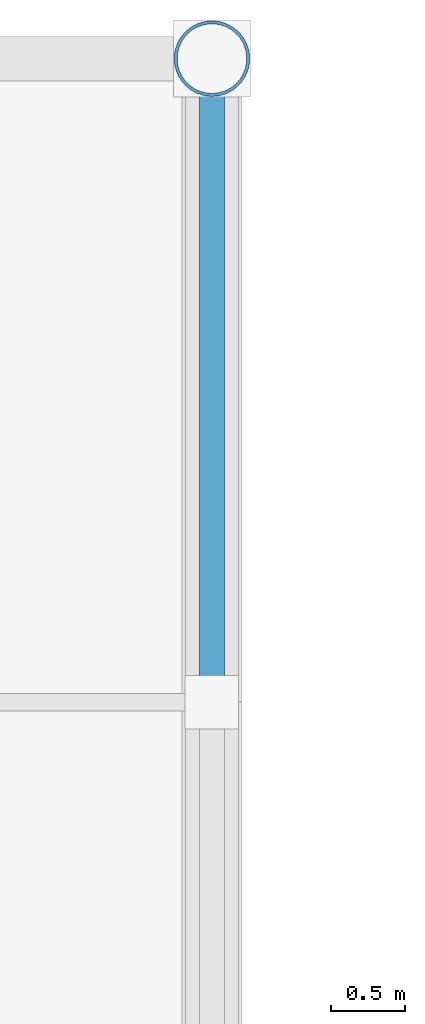
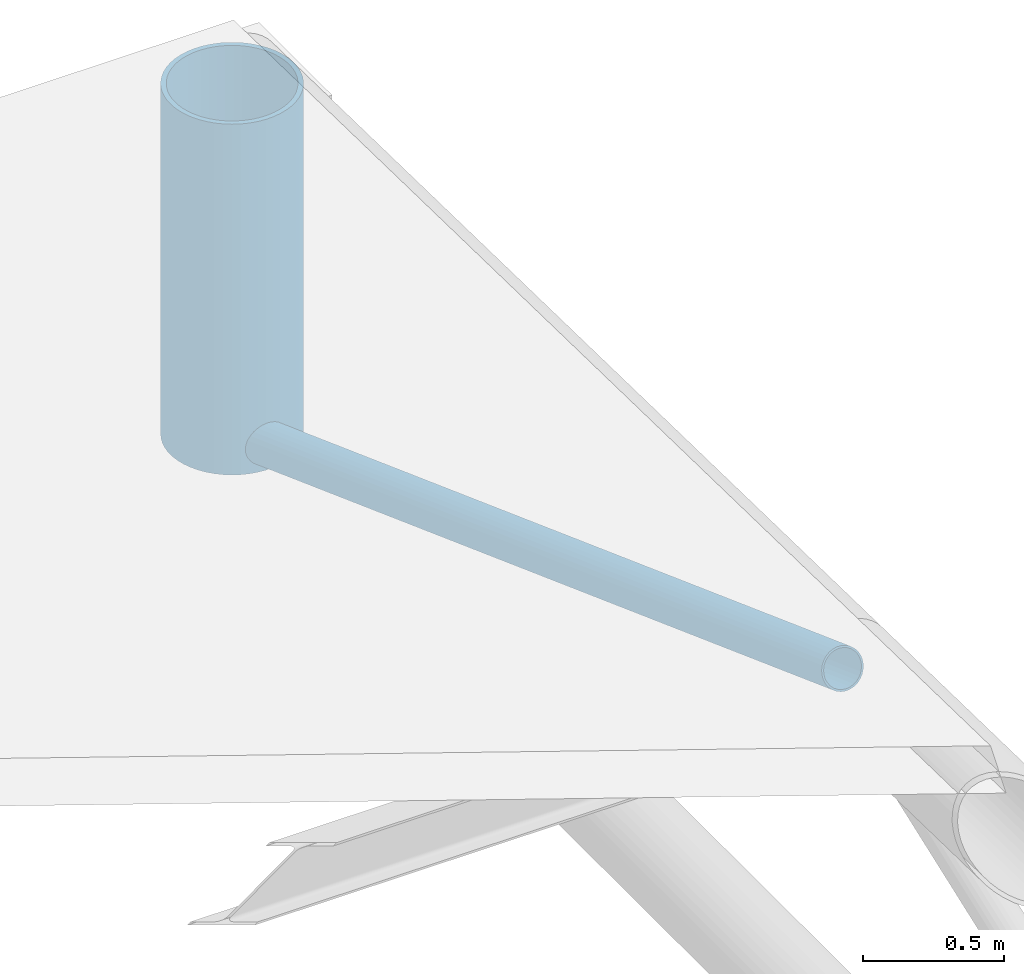
# One storey, part 55 of 75: 2 members.
"""IFC4 building model written with IfcOpenShell, lengths in metres."""

from ifc_helpers import new_model, si_unit, direction, frame, origin, origin_2d, place, context, subcontext, project, spatial, hollow_circle, extrude, material, material_profile, profile_set, type_object, element, save


model = new_model("IFC4")

# Units and contexts
model_context = context("Model", 3, precision=1e-05, world=origin(), true_north=direction((0.0, 1.0)))
body_context = subcontext(model_context, "Body", "Model", "MODEL_VIEW")
ifc_project = project(units=[si_unit("LENGTHUNIT", "METRE"), si_unit("AREAUNIT", "SQUARE_METRE"), si_unit("VOLUMEUNIT", "CUBIC_METRE"), si_unit("PLANEANGLEUNIT", "RADIAN"), si_unit("MASSUNIT", "GRAM", prefix="KILO")], contexts=[model_context])

# Site, building, storey
site_placement = place(None, origin())
site = spatial("IfcSite", under=ifc_project, at=site_placement, CompositionType="ELEMENT")
building_placement = place(site_placement, origin())
building = spatial("IfcBuilding", under=site, at=building_placement, Name="Khorjan Park Terminus", CompositionType="ELEMENT")
storey_placement = place(building_placement, frame((0.0, 0.0, 16.2)))
storey = spatial("IfcBuildingStorey", under=building, at=storey_placement, Name="L03", CompositionType="ELEMENT", Elevation=16.2)

# Members
ifc_material = material(Name="Steel S355", Category="steel")
ifc_material_profile_1 = material_profile(ifc_material, hollow_circle(Radius=0.0842, WallThickness=0.008, at=origin_2d()), Name="CHS 168.3x8")
ifc_profile_set_1 = profile_set([ifc_material_profile_1], Name="Steel S355")
member_type_1 = type_object("IfcMemberType", Name="MB-BR-168", PredefinedType="BRACE", material=ifc_profile_set_1)
member_1_placement = place(storey_placement, frame((158.0, 149.6667, -1.0083), z_axis=(0.0, 0.938678487602, -0.344793701963), x_axis=(-1.0, 0.0, 0.0)))
element("IfcMember", 1, at=member_1_placement, inside=storey, type_object=member_type_1, Name="Train shed flat truss web diagonal TB-17 (T19)", PredefinedType="BRACE", context=body_context, shape_type="SweptSolid", body=[
    extrude(hollow_circle(Radius=0.0842, WallThickness=0.008, at=origin_2d()), origin(), (0.0, 0.0, 1.0), 4.6164),
])
ifc_material_profile_2 = material_profile(ifc_material, hollow_circle(Radius=0.254, WallThickness=0.02, at=origin_2d()), Name="CHS 508x20")
ifc_profile_set_2 = profile_set([ifc_material_profile_2], Name="Steel S355")
member_type_2 = type_object("IfcMemberType", Name="MB-STE-508", PredefinedType="STRUT", material=ifc_profile_set_2)
member_2_placement = place(storey_placement, frame((158.0, 154.0, -2.62), z_axis=(0.0, 0.0, 1.0), x_axis=(1.0, 0.0, 0.0)))
element("IfcMember", 2, at=member_2_placement, inside=storey, type_object=member_type_2, Name="Train shed flat truss end post STE-51 (T19-N)", PredefinedType="STRUT", context=body_context, shape_type="SweptSolid", body=[
    extrude(hollow_circle(Radius=0.254, WallThickness=0.02, at=origin_2d()), origin(), (0.0, 0.0, 1.0), 1.52),
])

save(model, "model.ifc")
